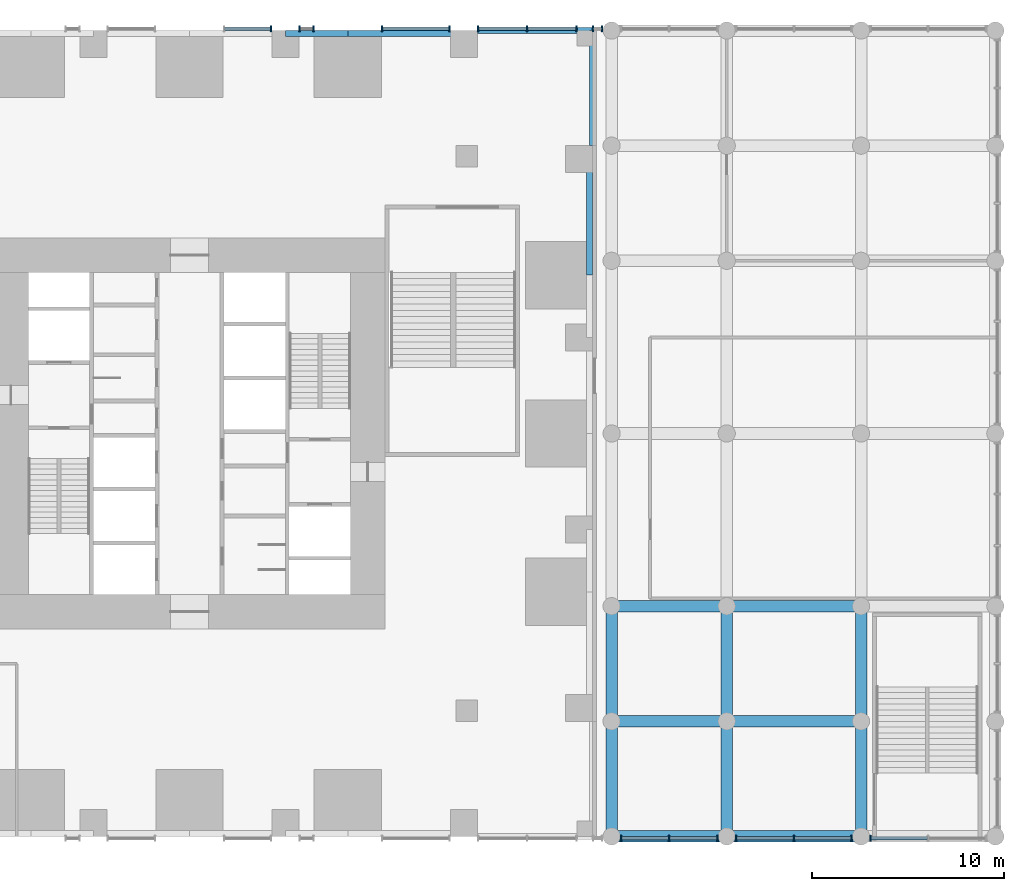
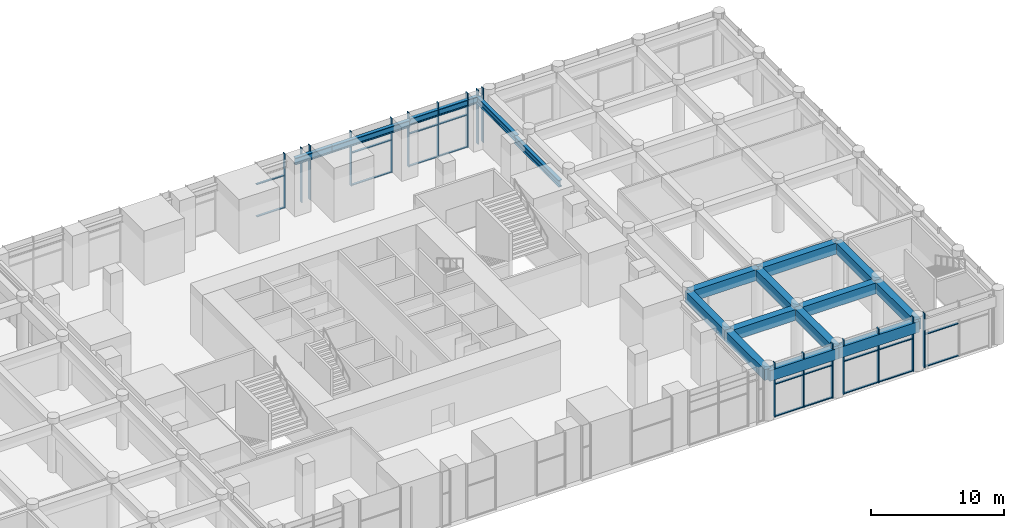
# One storey, part 6 of 23: 35 members, 17 beams, 8 elements without a shape of their own.
"""IFC4 building model written with IfcOpenShell, lengths in metres."""

from ifc_helpers import new_model, si_unit, direction, frame, origin, origin_2d, place, context, subcontext, project, spatial, rectangle, i_section, extrude, material, material_profile, profile_set, type_object, element, aggregate, save


model = new_model("IFC4")

# Units and contexts
model_context = context("Model", 3, precision=1e-05, world=origin(), true_north=direction((0.0, 1.0)))
body_context = subcontext(model_context, "Body", "Model", "MODEL_VIEW")
ifc_project = project(units=[si_unit("LENGTHUNIT", "METRE"), si_unit("AREAUNIT", "SQUARE_METRE"), si_unit("VOLUMEUNIT", "CUBIC_METRE"), si_unit("PLANEANGLEUNIT", "RADIAN"), si_unit("MASSUNIT", "GRAM", prefix="KILO")], contexts=[model_context])

# Site, building, storey
site_placement = place(None, origin())
site = spatial("IfcSite", under=ifc_project, at=site_placement, CompositionType="ELEMENT")
building_placement = place(site_placement, origin())
building = spatial("IfcBuilding", under=site, at=building_placement, Name="Svetlomir Tower", CompositionType="ELEMENT")
storey_placement = place(building_placement, frame((0.0, 0.0, 6.0)))
storey = spatial("IfcBuildingStorey", under=building, at=storey_placement, Name="L01", CompositionType="ELEMENT", Elevation=6.0)

# Curtain wall, members
ifc_material_1 = material(Name="Bronze anodised aluminium curtain wall", Category="aluminium")
curtain_wall_type = type_object("IfcCurtainWallType", Name="CURTAIN WALL CW5 PODIUM", PredefinedType="NOTDEFINED", material=ifc_material_1)
curtain_wall_1_placement = place(storey_placement, origin())
curtain_wall_1 = element("IfcCurtainWall", 1, at=curtain_wall_1_placement, inside=storey, type_object=curtain_wall_type, Name="Curtain wall CW5 L01", PredefinedType="NOTDEFINED")
ifc_material_2 = material(Name="Bronze anodised aluminium", Category="aluminium")
ifc_material_profile_1 = material_profile(ifc_material_2, rectangle(XDim=0.080078125, YDim=0.300048828125, at=origin_2d()), Name="AL 80x300")
ifc_profile_set_1 = profile_set([ifc_material_profile_1], Name="Bronze anodised aluminium 6063-T6")
member_type_1 = type_object("IfcMemberType", Name="CW5 MULLION 80x300", PredefinedType="MULLION", material=ifc_profile_set_1)
member_1_placement = place(storey_placement, frame((43.489990234375, -0.10009765625, 0.0), z_axis=(0.0, 0.0, 1.0), x_axis=(1.0, 0.0, 0.0)))
member_1 = element("IfcMember", 2, at=member_1_placement, type_object=member_type_1, Name="CW5 mullion 1", PredefinedType="MULLION", context=body_context, shape_type="SweptSolid", body=[
    extrude(rectangle(XDim=0.080078125, YDim=0.300048828125, at=origin_2d()), origin(), (0.0, 0.0, 1.0), 5.0),
])
member_2_placement = place(storey_placement, frame((46.0, -0.10009765625, 0.0), z_axis=(0.0, 0.0, 1.0), x_axis=(1.0, 0.0, 0.0)))
member_2 = element("IfcMember", 3, at=member_2_placement, type_object=member_type_1, Name="CW5 mullion 2", PredefinedType="MULLION", context=body_context, shape_type="SweptSolid", body=[
    extrude(rectangle(XDim=0.080078125, YDim=0.300048828125, at=origin_2d()), origin(), (0.0, 0.0, 1.0), 5.0),
])
member_3_placement = place(storey_placement, frame((48.510009765625, -0.10009765625, 0.0), z_axis=(0.0, 0.0, 1.0), x_axis=(1.0, 0.0, 0.0)))
member_3 = element("IfcMember", 4, at=member_3_placement, type_object=member_type_1, Name="CW5 mullion 3", PredefinedType="MULLION", context=body_context, shape_type="SweptSolid", body=[
    extrude(rectangle(XDim=0.080078125, YDim=0.300048828125, at=origin_2d()), origin(), (0.0, 0.0, 1.0), 5.0),
])

curtain_wall_2_placement = place(storey_placement, origin())
curtain_wall_2 = element("IfcCurtainWall", 5, at=curtain_wall_2_placement, inside=storey, type_object=curtain_wall_type, Name="Curtain wall CW5 L01", PredefinedType="NOTDEFINED")
member_4_placement = place(storey_placement, frame((49.489990234375, -0.10009765625, 0.0), z_axis=(0.0, 0.0, 1.0), x_axis=(1.0, 0.0, 0.0)))
member_4 = element("IfcMember", 6, at=member_4_placement, type_object=member_type_1, Name="CW5 mullion 1", PredefinedType="MULLION", context=body_context, shape_type="SweptSolid", body=[
    extrude(rectangle(XDim=0.080078125, YDim=0.300048828125, at=origin_2d()), origin(), (0.0, 0.0, 1.0), 5.0),
])
member_5_placement = place(storey_placement, frame((52.5, -0.10009765625, 0.0), z_axis=(0.0, 0.0, 1.0), x_axis=(1.0, 0.0, 0.0)))
member_5 = element("IfcMember", 7, at=member_5_placement, type_object=member_type_1, Name="CW5 mullion 2", PredefinedType="MULLION", context=body_context, shape_type="SweptSolid", body=[
    extrude(rectangle(XDim=0.080078125, YDim=0.300048828125, at=origin_2d()), origin(), (0.0, 0.0, 1.0), 5.0),
])
member_6_placement = place(storey_placement, frame((55.510009765625, -0.10009765625, 0.0), z_axis=(0.0, 0.0, 1.0), x_axis=(1.0, 0.0, 0.0)))
member_6 = element("IfcMember", 8, at=member_6_placement, type_object=member_type_1, Name="CW5 mullion 3", PredefinedType="MULLION", context=body_context, shape_type="SweptSolid", body=[
    extrude(rectangle(XDim=0.080078125, YDim=0.300048828125, at=origin_2d()), origin(), (0.0, 0.0, 1.0), 5.0),
])

# Curtain wall, member
curtain_wall_3_placement = place(storey_placement, origin())
curtain_wall_3 = element("IfcCurtainWall", 9, at=curtain_wall_3_placement, inside=storey, type_object=curtain_wall_type, Name="Curtain wall CW5 L01", PredefinedType="NOTDEFINED")
member_7_placement = place(storey_placement, frame((56.489990234375, -0.10009765625, 0.0), z_axis=(0.0, 0.0, 1.0), x_axis=(1.0, 0.0, 0.0)))
member_7 = element("IfcMember", 10, at=member_7_placement, type_object=member_type_1, Name="CW5 mullion 1", PredefinedType="MULLION", context=body_context, shape_type="SweptSolid", body=[
    extrude(rectangle(XDim=0.080078125, YDim=0.300048828125, at=origin_2d()), origin(), (0.0, 0.0, 1.0), 5.0),
])

# Curtain wall, members
curtain_wall_4_placement = place(storey_placement, origin())
curtain_wall_4 = element("IfcCurtainWall", 11, at=curtain_wall_4_placement, inside=storey, type_object=curtain_wall_type, Name="Curtain wall CW5 L01", PredefinedType="NOTDEFINED")
member_8_placement = place(storey_placement, frame((42.510009765625, 42.10009765625, 0.0), z_axis=(0.0, 0.0, 1.0), x_axis=(-1.0, 0.0, 0.0)))
member_8 = element("IfcMember", 12, at=member_8_placement, type_object=member_type_1, Name="CW5 mullion 1", PredefinedType="MULLION", context=body_context, shape_type="SweptSolid", body=[
    extrude(rectangle(XDim=0.080078125, YDim=0.300048828125, at=origin_2d()), origin(), (0.0, 0.0, 1.0), 5.0),
])
member_9_placement = place(storey_placement, frame((42.0400390625, 42.10009765625, 0.0), z_axis=(0.0, 0.0, 1.0), x_axis=(-1.0, 0.0, 0.0)))
member_9 = element("IfcMember", 13, at=member_9_placement, type_object=member_type_1, Name="CW5 mullion 2", PredefinedType="MULLION", context=body_context, shape_type="SweptSolid", body=[
    extrude(rectangle(XDim=0.080078125, YDim=0.300048828125, at=origin_2d()), origin(), (0.0, 0.0, 1.0), 5.0),
])
aggregate(curtain_wall_4, [member_8, member_9])

curtain_wall_5_placement = place(storey_placement, origin())
curtain_wall_5 = element("IfcCurtainWall", 14, at=curtain_wall_5_placement, inside=storey, type_object=curtain_wall_type, Name="Curtain wall CW5 L01", PredefinedType="NOTDEFINED")
member_10_placement = place(storey_placement, frame((41.159912109375, 42.10009765625, 0.0), z_axis=(0.0, 0.0, 1.0), x_axis=(-1.0, 0.0, 0.0)))
member_10 = element("IfcMember", 15, at=member_10_placement, type_object=member_type_1, Name="CW5 mullion 1", PredefinedType="MULLION", context=body_context, shape_type="SweptSolid", body=[
    extrude(rectangle(XDim=0.080078125, YDim=0.300048828125, at=origin_2d()), origin(), (0.0, 0.0, 1.0), 5.0),
])
member_11_placement = place(storey_placement, frame((38.60009765625, 42.10009765625, 0.0), z_axis=(0.0, 0.0, 1.0), x_axis=(-1.0, 0.0, 0.0)))
member_11 = element("IfcMember", 16, at=member_11_placement, type_object=member_type_1, Name="CW5 mullion 2", PredefinedType="MULLION", context=body_context, shape_type="SweptSolid", body=[
    extrude(rectangle(XDim=0.080078125, YDim=0.300048828125, at=origin_2d()), origin(), (0.0, 0.0, 1.0), 5.0),
])
member_12_placement = place(storey_placement, frame((36.0400390625, 42.10009765625, 0.0), z_axis=(0.0, 0.0, 1.0), x_axis=(-1.0, 0.0, 0.0)))
member_12 = element("IfcMember", 17, at=member_12_placement, type_object=member_type_1, Name="CW5 mullion 3", PredefinedType="MULLION", context=body_context, shape_type="SweptSolid", body=[
    extrude(rectangle(XDim=0.080078125, YDim=0.300048828125, at=origin_2d()), origin(), (0.0, 0.0, 1.0), 5.0),
])

curtain_wall_6_placement = place(storey_placement, origin())
curtain_wall_6 = element("IfcCurtainWall", 18, at=curtain_wall_6_placement, inside=storey, type_object=curtain_wall_type, Name="Curtain wall CW5 L01", PredefinedType="NOTDEFINED")
member_13_placement = place(storey_placement, frame((34.56005859375, 42.10009765625, 0.0), z_axis=(0.0, 0.0, 1.0), x_axis=(-1.0, 0.0, 0.0)))
member_13 = element("IfcMember", 19, at=member_13_placement, type_object=member_type_1, Name="CW5 mullion 1", PredefinedType="MULLION", context=body_context, shape_type="SweptSolid", body=[
    extrude(rectangle(XDim=0.080078125, YDim=0.300048828125, at=origin_2d()), origin(), (0.0, 0.0, 1.0), 5.0),
])
member_14_placement = place(storey_placement, frame((31.0400390625, 42.10009765625, 0.0), z_axis=(0.0, 0.0, 1.0), x_axis=(-1.0, 0.0, 0.0)))
member_14 = element("IfcMember", 20, at=member_14_placement, type_object=member_type_1, Name="CW5 mullion 2", PredefinedType="MULLION", context=body_context, shape_type="SweptSolid", body=[
    extrude(rectangle(XDim=0.080078125, YDim=0.300048828125, at=origin_2d()), origin(), (0.0, 0.0, 1.0), 5.0),
])

curtain_wall_7_placement = place(storey_placement, origin())
curtain_wall_7 = element("IfcCurtainWall", 21, at=curtain_wall_7_placement, inside=storey, type_object=curtain_wall_type, Name="Curtain wall CW5 L01", PredefinedType="NOTDEFINED")
member_15_placement = place(storey_placement, frame((27.4599609375, 42.10009765625, 0.0), z_axis=(0.0, 0.0, 1.0), x_axis=(-1.0, 0.0, 0.0)))
member_15 = element("IfcMember", 22, at=member_15_placement, type_object=member_type_1, Name="CW5 mullion 1", PredefinedType="MULLION", context=body_context, shape_type="SweptSolid", body=[
    extrude(rectangle(XDim=0.080078125, YDim=0.300048828125, at=origin_2d()), origin(), (0.0, 0.0, 1.0), 5.0),
])
member_16_placement = place(storey_placement, frame((26.739990234375, 42.10009765625, 0.0), z_axis=(0.0, 0.0, 1.0), x_axis=(-1.0, 0.0, 0.0)))
member_16 = element("IfcMember", 23, at=member_16_placement, type_object=member_type_1, Name="CW5 mullion 2", PredefinedType="MULLION", context=body_context, shape_type="SweptSolid", body=[
    extrude(rectangle(XDim=0.080078125, YDim=0.300048828125, at=origin_2d()), origin(), (0.0, 0.0, 1.0), 5.0),
])
aggregate(curtain_wall_7, [member_15, member_16])

# Curtain wall, member
curtain_wall_8_placement = place(storey_placement, origin())
curtain_wall_8 = element("IfcCurtainWall", 24, at=curtain_wall_8_placement, inside=storey, type_object=curtain_wall_type, Name="Curtain wall CW5 L01", PredefinedType="NOTDEFINED")
member_17_placement = place(storey_placement, frame((25.260009765625, 42.10009765625, 0.0), z_axis=(0.0, 0.0, 1.0), x_axis=(-1.0, 0.0, 0.0)))
member_17 = element("IfcMember", 25, at=member_17_placement, type_object=member_type_1, Name="CW5 mullion 1", PredefinedType="MULLION", context=body_context, shape_type="SweptSolid", body=[
    extrude(rectangle(XDim=0.080078125, YDim=0.300048828125, at=origin_2d()), origin(), (0.0, 0.0, 1.0), 5.0),
])

# Member
ifc_material_3 = material(Name="Bronze anodised aluminium", Category="aluminium")
ifc_material_profile_2 = material_profile(ifc_material_3, rectangle(XDim=0.179931640625, YDim=0.080078125, at=origin_2d()), Name="AL 180x80")
ifc_profile_set_2 = profile_set([ifc_material_profile_2], Name="Bronze anodised aluminium 6063-T6")
member_type_2 = type_object("IfcMemberType", Name="CW5 TRANSOM 80x180", PredefinedType="USERDEFINED", material=ifc_profile_set_2)
member_18_placement = place(storey_placement, frame((43.530029296875, -0.10009765625, 0.0400390625), z_axis=(1.0, 0.0, 0.0), x_axis=(0.0, 1.0, 0.0)))
member_18 = element("IfcMember", 26, at=member_18_placement, type_object=member_type_2, Name="CW5 transom 1.1", ObjectType="TRANSOM", PredefinedType="USERDEFINED", context=body_context, shape_type="SweptSolid", body=[
    extrude(rectangle(XDim=0.179931640625, YDim=0.080078125, at=origin_2d()), origin(), (0.0, 0.0, 1.0), 2.429931640625),
])

member_19_placement = place(storey_placement, frame((43.530029296875, -0.10009765625, 3.0), z_axis=(1.0, 0.0, 0.0), x_axis=(0.0, 1.0, 0.0)))
member_19 = element("IfcMember", 27, at=member_19_placement, type_object=member_type_2, Name="CW5 transom 1.2", ObjectType="TRANSOM", PredefinedType="USERDEFINED", context=body_context, shape_type="SweptSolid", body=[
    extrude(rectangle(XDim=0.179931640625, YDim=0.080078125, at=origin_2d()), origin(), (0.0, 0.0, 1.0), 2.429931640625),
])

member_20_placement = place(storey_placement, frame((46.0400390625, -0.10009765625, 0.0400390625), z_axis=(1.0, 0.0, 0.0), x_axis=(0.0, 1.0, 0.0)))
member_20 = element("IfcMember", 28, at=member_20_placement, type_object=member_type_2, Name="CW5 transom 2.1", ObjectType="TRANSOM", PredefinedType="USERDEFINED", context=body_context, shape_type="SweptSolid", body=[
    extrude(rectangle(XDim=0.179931640625, YDim=0.080078125, at=origin_2d()), origin(), (0.0, 0.0, 1.0), 2.429931640625),
])

member_21_placement = place(storey_placement, frame((46.0400390625, -0.10009765625, 3.0), z_axis=(1.0, 0.0, 0.0), x_axis=(0.0, 1.0, 0.0)))
member_21 = element("IfcMember", 29, at=member_21_placement, type_object=member_type_2, Name="CW5 transom 2.2", ObjectType="TRANSOM", PredefinedType="USERDEFINED", context=body_context, shape_type="SweptSolid", body=[
    extrude(rectangle(XDim=0.179931640625, YDim=0.080078125, at=origin_2d()), origin(), (0.0, 0.0, 1.0), 2.429931640625),
])

aggregate(curtain_wall_1, [member_1, member_2, member_3, member_18, member_19, member_20, member_21])

member_22_placement = place(storey_placement, frame((49.530029296875, -0.10009765625, 0.0400390625), z_axis=(1.0, 0.0, 0.0), x_axis=(0.0, 1.0, 0.0)))
member_22 = element("IfcMember", 30, at=member_22_placement, type_object=member_type_2, Name="CW5 transom 1.1", ObjectType="TRANSOM", PredefinedType="USERDEFINED", context=body_context, shape_type="SweptSolid", body=[
    extrude(rectangle(XDim=0.179931640625, YDim=0.080078125, at=origin_2d()), origin(), (0.0, 0.0, 1.0), 2.929931640625),
])

member_23_placement = place(storey_placement, frame((49.530029296875, -0.10009765625, 3.0), z_axis=(1.0, 0.0, 0.0), x_axis=(0.0, 1.0, 0.0)))
member_23 = element("IfcMember", 31, at=member_23_placement, type_object=member_type_2, Name="CW5 transom 1.2", ObjectType="TRANSOM", PredefinedType="USERDEFINED", context=body_context, shape_type="SweptSolid", body=[
    extrude(rectangle(XDim=0.179931640625, YDim=0.080078125, at=origin_2d()), origin(), (0.0, 0.0, 1.0), 2.929931640625),
])

member_24_placement = place(storey_placement, frame((52.5400390625, -0.10009765625, 0.0400390625), z_axis=(1.0, 0.0, 0.0), x_axis=(0.0, 1.0, 0.0)))
member_24 = element("IfcMember", 32, at=member_24_placement, type_object=member_type_2, Name="CW5 transom 2.1", ObjectType="TRANSOM", PredefinedType="USERDEFINED", context=body_context, shape_type="SweptSolid", body=[
    extrude(rectangle(XDim=0.179931640625, YDim=0.080078125, at=origin_2d()), origin(), (0.0, 0.0, 1.0), 2.929931640625),
])

member_25_placement = place(storey_placement, frame((52.5400390625, -0.10009765625, 3.0), z_axis=(1.0, 0.0, 0.0), x_axis=(0.0, 1.0, 0.0)))
member_25 = element("IfcMember", 33, at=member_25_placement, type_object=member_type_2, Name="CW5 transom 2.2", ObjectType="TRANSOM", PredefinedType="USERDEFINED", context=body_context, shape_type="SweptSolid", body=[
    extrude(rectangle(XDim=0.179931640625, YDim=0.080078125, at=origin_2d()), origin(), (0.0, 0.0, 1.0), 2.929931640625),
])

aggregate(curtain_wall_2, [member_4, member_5, member_6, member_22, member_23, member_24, member_25])

member_26_placement = place(storey_placement, frame((56.530029296875, -0.10009765625, 0.0400390625), z_axis=(1.0, 0.0, 0.0), x_axis=(0.0, 1.0, 0.0)))
member_26 = element("IfcMember", 34, at=member_26_placement, type_object=member_type_2, Name="CW5 transom 1.1", ObjectType="TRANSOM", PredefinedType="USERDEFINED", context=body_context, shape_type="SweptSolid", body=[
    extrude(rectangle(XDim=0.179931640625, YDim=0.080078125, at=origin_2d()), origin(), (0.0, 0.0, 1.0), 2.929931640625),
])

member_27_placement = place(storey_placement, frame((56.530029296875, -0.10009765625, 3.0), z_axis=(1.0, 0.0, 0.0), x_axis=(0.0, 1.0, 0.0)))
member_27 = element("IfcMember", 35, at=member_27_placement, type_object=member_type_2, Name="CW5 transom 1.2", ObjectType="TRANSOM", PredefinedType="USERDEFINED", context=body_context, shape_type="SweptSolid", body=[
    extrude(rectangle(XDim=0.179931640625, YDim=0.080078125, at=origin_2d()), origin(), (0.0, 0.0, 1.0), 2.929931640625),
])

aggregate(curtain_wall_3, [member_7, member_26, member_27])

member_28_placement = place(storey_placement, frame((41.1201171875, 42.10009765625, 0.0400390625), z_axis=(-1.0, 0.0, 0.0), x_axis=(0.0, -1.0, 0.0)))
member_28 = element("IfcMember", 36, at=member_28_placement, type_object=member_type_2, Name="CW5 transom 1.1", ObjectType="TRANSOM", PredefinedType="USERDEFINED", context=body_context, shape_type="SweptSolid", body=[
    extrude(rectangle(XDim=0.179931640625, YDim=0.080078125, at=origin_2d()), origin(), (0.0, 0.0, 1.0), 2.480224609375),
])

member_29_placement = place(storey_placement, frame((41.1201171875, 42.10009765625, 3.0), z_axis=(-1.0, 0.0, 0.0), x_axis=(0.0, -1.0, 0.0)))
member_29 = element("IfcMember", 37, at=member_29_placement, type_object=member_type_2, Name="CW5 transom 1.2", ObjectType="TRANSOM", PredefinedType="USERDEFINED", context=body_context, shape_type="SweptSolid", body=[
    extrude(rectangle(XDim=0.179931640625, YDim=0.080078125, at=origin_2d()), origin(), (0.0, 0.0, 1.0), 2.480224609375),
])

member_30_placement = place(storey_placement, frame((38.56005859375, 42.10009765625, 0.0400390625), z_axis=(-1.0, 0.0, 0.0), x_axis=(0.0, -1.0, 0.0)))
member_30 = element("IfcMember", 38, at=member_30_placement, type_object=member_type_2, Name="CW5 transom 2.1", ObjectType="TRANSOM", PredefinedType="USERDEFINED", context=body_context, shape_type="SweptSolid", body=[
    extrude(rectangle(XDim=0.179931640625, YDim=0.080078125, at=origin_2d()), origin(), (0.0, 0.0, 1.0), 2.47998046875),
])

member_31_placement = place(storey_placement, frame((38.56005859375, 42.10009765625, 3.0), z_axis=(-1.0, 0.0, 0.0), x_axis=(0.0, -1.0, 0.0)))
member_31 = element("IfcMember", 39, at=member_31_placement, type_object=member_type_2, Name="CW5 transom 2.2", ObjectType="TRANSOM", PredefinedType="USERDEFINED", context=body_context, shape_type="SweptSolid", body=[
    extrude(rectangle(XDim=0.179931640625, YDim=0.080078125, at=origin_2d()), origin(), (0.0, 0.0, 1.0), 2.47998046875),
])

aggregate(curtain_wall_5, [member_10, member_11, member_12, member_28, member_29, member_30, member_31])

member_32_placement = place(storey_placement, frame((34.52001953125, 42.10009765625, 0.0400390625), z_axis=(-1.0, 0.0, 0.0), x_axis=(0.0, -1.0, 0.0)))
member_32 = element("IfcMember", 40, at=member_32_placement, type_object=member_type_2, Name="CW5 transom 1.1", ObjectType="TRANSOM", PredefinedType="USERDEFINED", context=body_context, shape_type="SweptSolid", body=[
    extrude(rectangle(XDim=0.179931640625, YDim=0.080078125, at=origin_2d()), origin(), (0.0, 0.0, 1.0), 3.43994140625),
])

member_33_placement = place(storey_placement, frame((34.52001953125, 42.10009765625, 3.0), z_axis=(-1.0, 0.0, 0.0), x_axis=(0.0, -1.0, 0.0)))
member_33 = element("IfcMember", 41, at=member_33_placement, type_object=member_type_2, Name="CW5 transom 1.2", ObjectType="TRANSOM", PredefinedType="USERDEFINED", context=body_context, shape_type="SweptSolid", body=[
    extrude(rectangle(XDim=0.179931640625, YDim=0.080078125, at=origin_2d()), origin(), (0.0, 0.0, 1.0), 3.43994140625),
])

aggregate(curtain_wall_6, [member_13, member_14, member_32, member_33])

member_34_placement = place(storey_placement, frame((25.219970703125, 42.10009765625, 0.0400390625), z_axis=(-1.0, 0.0, 0.0), x_axis=(0.0, -1.0, 0.0)))
member_34 = element("IfcMember", 42, at=member_34_placement, type_object=member_type_2, Name="CW5 transom 1.1", ObjectType="TRANSOM", PredefinedType="USERDEFINED", context=body_context, shape_type="SweptSolid", body=[
    extrude(rectangle(XDim=0.179931640625, YDim=0.080078125, at=origin_2d()), origin(), (0.0, 0.0, 1.0), 2.389892578125),
])

member_35_placement = place(storey_placement, frame((25.219970703125, 42.10009765625, 3.0), z_axis=(-1.0, 0.0, 0.0), x_axis=(0.0, -1.0, 0.0)))
member_35 = element("IfcMember", 43, at=member_35_placement, type_object=member_type_2, Name="CW5 transom 1.2", ObjectType="TRANSOM", PredefinedType="USERDEFINED", context=body_context, shape_type="SweptSolid", body=[
    extrude(rectangle(XDim=0.179931640625, YDim=0.080078125, at=origin_2d()), origin(), (0.0, 0.0, 1.0), 2.389892578125),
])

aggregate(curtain_wall_8, [member_17, member_34, member_35])

# Beams
ifc_material_4 = material(Name="Concrete C60/75", Category="concrete")
ifc_material_profile_3 = material_profile(ifc_material_4, rectangle(XDim=0.60009765625, YDim=1.0, at=origin_2d()), Name="RC 600x1000")
ifc_profile_set_3 = profile_set([ifc_material_profile_3], Name="Concrete C60/75")
beam_type_1 = type_object("IfcBeamType", Name="PODIUM BEAM RC 600x1000", PredefinedType="BEAM", material=ifc_profile_set_3)
for number, where, z_axis, x_axis, name in (
    (44, (43.0, 0.0, 4.0), (0.0, 1.0, 0.0), (-1.0, 0.0, 0.0), "Podium beam 43/0 to 43/6 under L02"),
    (45, (43.0, 0.0, 4.0), (1.0, 0.0, 0.0), (0.0, 1.0, 0.0), "Podium beam 43/0 to 49/0 under L02"),
    (46, (43.0, 6.0, 4.0), (0.0, 1.0, 0.0), (-1.0, 0.0, 0.0), "Podium beam 43/6 to 43/12 under L02"),
    (47, (43.0, 6.0, 4.0), (1.0, 0.0, 0.0), (0.0, 1.0, 0.0), "Podium beam 43/6 to 49/6 under L02"),
    (48, (43.0, 12.0, 4.0), (1.0, 0.0, 0.0), (0.0, 1.0, 0.0), "Podium beam 43/12 to 49/12 under L02"),
    (49, (49.0, 0.0, 4.0), (0.0, 1.0, 0.0), (-1.0, 0.0, 0.0), "Podium beam 49/0 to 49/6 under L02"),
):
    element("IfcBeam", number, at=place(storey_placement, frame(where, z_axis=z_axis, x_axis=x_axis)), inside=storey, type_object=beam_type_1, Name=name, PredefinedType="BEAM", context=body_context, shape_type="SweptSolid", body=[
        extrude(rectangle(XDim=0.60009765625, YDim=1.0, at=origin_2d()), origin(), (0.0, 0.0, 1.0), 6.0),
    ])
beam_1_placement = place(storey_placement, frame((49.0, 0.0, 4.0), z_axis=(1.0, 0.0, 0.0), x_axis=(0.0, 1.0, 0.0)))
element("IfcBeam", 50, at=beam_1_placement, inside=storey, type_object=beam_type_1, Name="Podium beam 49/0 to 56/0 under L02", PredefinedType="BEAM", context=body_context, shape_type="SweptSolid", body=[
    extrude(rectangle(XDim=0.60009765625, YDim=1.0, at=origin_2d()), origin(), (0.0, 0.0, 1.0), 7.0),
])
beam_2_placement = place(storey_placement, frame((49.0, 6.0, 4.0), z_axis=(0.0, 1.0, 0.0), x_axis=(-1.0, 0.0, 0.0)))
element("IfcBeam", 51, at=beam_2_placement, inside=storey, type_object=beam_type_1, Name="Podium beam 49/6 to 49/12 under L02", PredefinedType="BEAM", context=body_context, shape_type="SweptSolid", body=[
    extrude(rectangle(XDim=0.60009765625, YDim=1.0, at=origin_2d()), origin(), (0.0, 0.0, 1.0), 6.0),
])
for number, where, z_axis, x_axis, name in (
    (52, (49.0, 6.0, 4.0), (1.0, 0.0, 0.0), (0.0, 1.0, 0.0), "Podium beam 49/6 to 56/6 under L02"),
    (53, (49.0, 12.0, 4.0), (1.0, 0.0, 0.0), (0.0, 1.0, 0.0), "Podium beam 49/12 to 56/12 under L02"),
):
    element("IfcBeam", number, at=place(storey_placement, frame(where, z_axis=z_axis, x_axis=x_axis)), inside=storey, type_object=beam_type_1, Name=name, PredefinedType="BEAM", context=body_context, shape_type="SweptSolid", body=[
        extrude(rectangle(XDim=0.60009765625, YDim=1.0, at=origin_2d()), origin(), (0.0, 0.0, 1.0), 7.0),
    ])
for number, where, z_axis, x_axis, name in (
    (54, (56.0, 0.0, 4.0), (0.0, 1.0, 0.0), (-1.0, 0.0, 0.0), "Podium beam 56/0 to 56/6 under L02"),
    (55, (56.0, 6.0, 4.0), (0.0, 1.0, 0.0), (-1.0, 0.0, 0.0), "Podium beam 56/6 to 56/12 under L02"),
):
    element("IfcBeam", number, at=place(storey_placement, frame(where, z_axis=z_axis, x_axis=x_axis)), inside=storey, type_object=beam_type_1, Name=name, PredefinedType="BEAM", context=body_context, shape_type="SweptSolid", body=[
        extrude(rectangle(XDim=0.60009765625, YDim=1.0, at=origin_2d()), origin(), (0.0, 0.0, 1.0), 6.0),
    ])
ifc_material_5 = material(Name="Steel S355", Category="steel")
ifc_material_profile_4 = material_profile(ifc_material_5, i_section(OverallWidth=0.304931640625, OverallDepth=0.6201171875, WebThickness=0.02099609375, FlangeThickness=0.0400390625, FilletRadius=0.027099609375, at=origin_2d()), Name="HEM 600")
ifc_profile_set_4 = profile_set([ifc_material_profile_4], Name="Steel S355")
beam_type_2 = type_object("IfcBeamType", Name="PODIUM EDGE BEAM HEM 600", PredefinedType="BEAM", material=ifc_profile_set_4)
beam_3_placement = place(storey_placement, frame((26.0, 41.847412109375, 4.18994140625), z_axis=(1.0, 0.0, 0.0), x_axis=(0.0, 1.0, 0.0)))
element("IfcBeam", 56, at=beam_3_placement, inside=storey, type_object=beam_type_2, Name="Podium beam 26/42 to 31/42 under L02", PredefinedType="BEAM", context=body_context, shape_type="SweptSolid", body=[
    extrude(i_section(OverallWidth=0.304931640625, OverallDepth=0.6201171875, WebThickness=0.02099609375, FlangeThickness=0.0400390625, FilletRadius=0.027099609375, at=origin_2d()), origin(), (0.0, 0.0, 1.0), 3.25),
])
beam_4_placement = place(storey_placement, frame((29.25, 41.847412109375, 4.18994140625), z_axis=(1.0, 0.0, 0.0), x_axis=(0.0, 1.0, 0.0)))
element("IfcBeam", 57, at=beam_4_placement, inside=storey, type_object=beam_type_2, Name="Podium beam 31/42 to 36/42 under L02", PredefinedType="BEAM", context=body_context, shape_type="SweptSolid", body=[
    extrude(i_section(OverallWidth=0.304931640625, OverallDepth=0.6201171875, WebThickness=0.02099609375, FlangeThickness=0.0400390625, FilletRadius=0.027099609375, at=origin_2d()), origin(), (0.0, 0.0, 1.0), 6.75),
])
beam_5_placement = place(storey_placement, frame((36.0, 42.0, 4.18994140625), z_axis=(1.0, 0.0, 0.0), x_axis=(0.0, 1.0, 0.0)))
element("IfcBeam", 58, at=beam_5_placement, inside=storey, type_object=beam_type_2, Name="Podium beam 36/42 to 42/42 under L02", PredefinedType="BEAM", context=body_context, shape_type="SweptSolid", body=[
    extrude(i_section(OverallWidth=0.304931640625, OverallDepth=0.6201171875, WebThickness=0.02099609375, FlangeThickness=0.0400390625, FilletRadius=0.027099609375, at=origin_2d()), origin(), (0.0, 0.0, 1.0), 6.0),
])
beam_6_placement = place(storey_placement, frame((41.847412109375, 29.25, 4.18994140625), z_axis=(0.0, 1.0, 0.0), x_axis=(-1.0, 0.0, 0.0)))
element("IfcBeam", 59, at=beam_6_placement, inside=storey, type_object=beam_type_2, Name="Podium beam 42/31 to 42/36 under L02", PredefinedType="BEAM", context=body_context, shape_type="SweptSolid", body=[
    extrude(i_section(OverallWidth=0.304931640625, OverallDepth=0.6201171875, WebThickness=0.02099609375, FlangeThickness=0.0400390625, FilletRadius=0.027099609375, at=origin_2d()), origin(), (0.0, 0.0, 1.0), 6.75),
])
beam_7_placement = place(storey_placement, frame((42.0, 36.0, 4.18994140625), z_axis=(0.0, 1.0, 0.0), x_axis=(-1.0, 0.0, 0.0)))
element("IfcBeam", 60, at=beam_7_placement, inside=storey, type_object=beam_type_2, Name="Podium beam 42/36 to 42/42 under L02", PredefinedType="BEAM", context=body_context, shape_type="SweptSolid", body=[
    extrude(i_section(OverallWidth=0.304931640625, OverallDepth=0.6201171875, WebThickness=0.02099609375, FlangeThickness=0.0400390625, FilletRadius=0.027099609375, at=origin_2d()), origin(), (0.0, 0.0, 1.0), 6.0),
])

save(model, "model.ifc")
